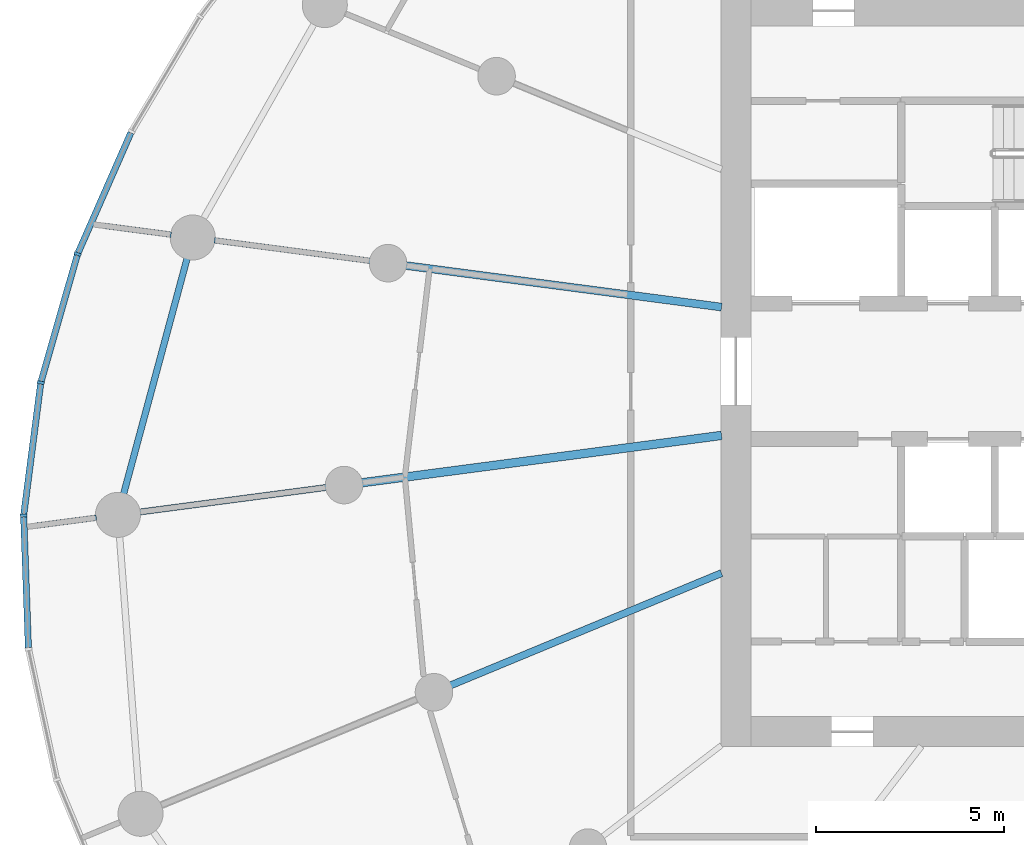
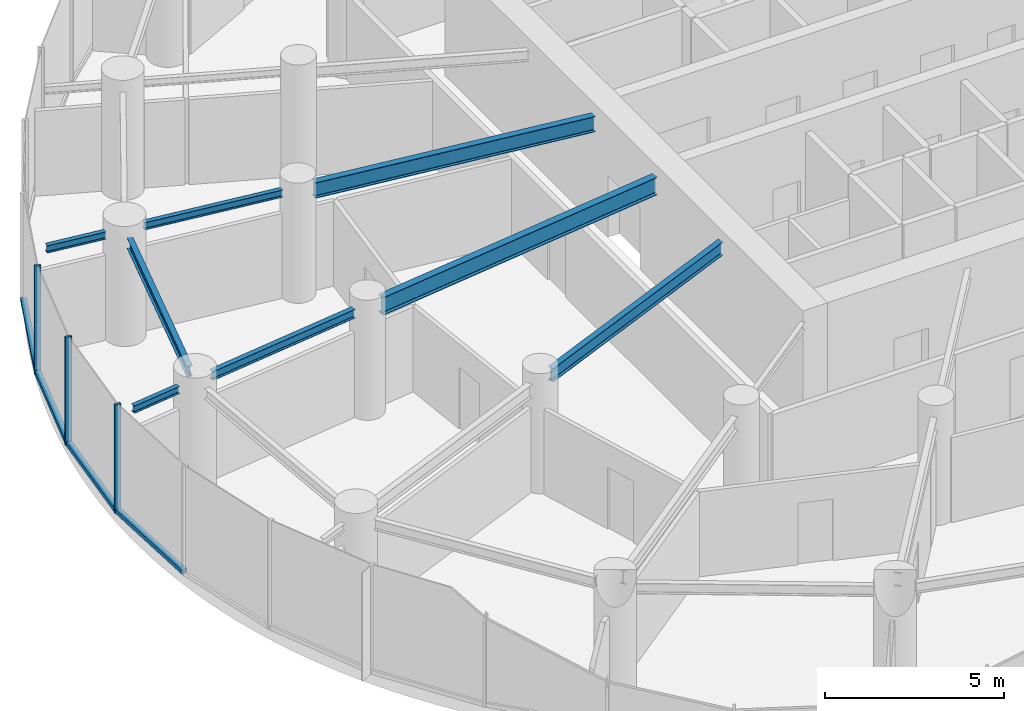
# One storey, part 3 of 17: 8 beams, 7 members, 1 element without a shape of its own.
"""IFC4 building model written with IfcOpenShell, lengths in metres."""

from ifc_helpers import new_model, si_unit, direction, frame, origin, origin_2d, place, context, subcontext, project, spatial, rectangle, i_section, extrude, source, transform, mapped, material, layer, layer_set, material_profile, profile_set, type_object, element, aggregate, save


model = new_model("IFC4")

# Units and contexts
model_context = context("Model", 3, precision=1e-05, world=origin(), true_north=direction((0.0, 1.0)))
body_context = subcontext(model_context, "Body", "Model", "MODEL_VIEW")
ifc_project = project(units=[si_unit("LENGTHUNIT", "METRE"), si_unit("AREAUNIT", "SQUARE_METRE"), si_unit("VOLUMEUNIT", "CUBIC_METRE"), si_unit("PLANEANGLEUNIT", "RADIAN"), si_unit("MASSUNIT", "GRAM", prefix="KILO")], contexts=[model_context])

# Site, building, storey
site_placement = place(None, origin())
site = spatial("IfcSite", under=ifc_project, at=site_placement, CompositionType="ELEMENT")
building_placement = place(site_placement, origin())
building = spatial("IfcBuilding", under=site, at=building_placement, Name="Spindrift Exchange Tower", CompositionType="ELEMENT")
storey_placement = place(building_placement, frame((0.0, 0.0, 88.0)))
storey = spatial("IfcBuildingStorey", under=building, at=storey_placement, Name="L20", CompositionType="ELEMENT", Elevation=88.0)

# Beams
ifc_material_1 = material(Name="Steel Grade 300", Category="steel")
ifc_material_profile_1 = material_profile(ifc_material_1, i_section(OverallWidth=0.22802734375, OverallDepth=0.60693359375, WebThickness=0.01123046875, FlangeThickness=0.017333984375, FilletRadius=0.013916015625, at=origin_2d()), Name="610UB113")
ifc_profile_set_1 = profile_set([ifc_material_profile_1], Name="Steel Grade 300")
beam_type_1 = type_object("IfcBeamType", Name="Floor Beam 610UB113 Steel Grade 300", PredefinedType="BEAM", material=ifc_profile_set_1)
shared_shape_1 = source(origin(), body_context, "Body", "SweptSolid", [
    extrude(i_section(OverallWidth=0.22802734375, OverallDepth=0.60693359375, WebThickness=0.01123046875, FlangeThickness=0.017333984375, FilletRadius=0.013916015625, at=origin_2d()), origin(), (0.0, 0.0, 1.0), 9.660400390625),
])
beam_1_placement = place(storey_placement, frame((39.019775390625, 46.291015625, 3.396484375), z_axis=(-0.99144767089, -0.130504850054, 0.0), x_axis=(0.130504850054, -0.99144767089, 0.0)))
element("IfcBeam", 1, at=beam_1_placement, inside=storey, type_object=beam_type_1, Name="L20 radial beam R13A", PredefinedType="BEAM", context=body_context, shape_type="MappedRepresentation", body=[
    mapped(shared_shape_1, transform((0.0, 0.0, 0.0), scale=1.0)),
])
ifc_material_profile_2 = material_profile(ifc_material_1, i_section(OverallWidth=0.18994140625, OverallDepth=0.45703125, WebThickness=0.009033203125, FlangeThickness=0.014404296875, FilletRadius=0.013916015625, at=origin_2d()), Name="460UB74.6")
ifc_profile_set_2 = profile_set([ifc_material_profile_2], Name="Steel Grade 300")
beam_type_2 = type_object("IfcBeamType", Name="Floor Beam 460UB74.6 Steel Grade 300", PredefinedType="BEAM", material=ifc_profile_set_2)
shared_shape_2 = source(origin(), body_context, "Body", "SweptSolid", [
    extrude(i_section(OverallWidth=0.18994140625, OverallDepth=0.45703125, WebThickness=0.009033203125, FlangeThickness=0.014404296875, FilletRadius=0.013916015625, at=origin_2d()), origin(), (0.0, 0.0, 1.0), 7.808837890625),
])
beam_2_placement = place(storey_placement, frame((39.0185546875, 42.622802734375, 3.471435546875), z_axis=(-0.92387965154, -0.382683145003, 0.0), x_axis=(0.382683145003, -0.92387965154, 0.0)))
element("IfcBeam", 2, at=beam_2_placement, inside=storey, type_object=beam_type_2, Name="L20 radial beam R14A", PredefinedType="BEAM", context=body_context, shape_type="MappedRepresentation", body=[
    mapped(shared_shape_2, transform((0.0, 0.0, 0.0), scale=1.0)),
])
ifc_material_profile_3 = material_profile(ifc_material_1, i_section(OverallWidth=0.208984375, OverallDepth=0.532958984375, WebThickness=0.01025390625, FlangeThickness=0.015625, FilletRadius=0.013916015625, at=origin_2d()), Name="530UB92.4")
ifc_profile_set_3 = profile_set([ifc_material_profile_3], Name="Steel Grade 300")
beam_type_3 = type_object("IfcBeamType", Name="Floor Beam 530UB92.4 Steel Grade 300", PredefinedType="BEAM", material=ifc_profile_set_3)
shared_shape_3 = source(origin(), body_context, "Body", "SweptSolid", [
    extrude(i_section(OverallWidth=0.208984375, OverallDepth=0.532958984375, WebThickness=0.01025390625, FlangeThickness=0.015625, FilletRadius=0.013916015625, at=origin_2d()), origin(), (0.0, 0.0, 1.0), 8.4794921875),
])
beam_3_placement = place(storey_placement, frame((39.019775390625, 49.708984375, 3.43359375), z_axis=(-0.991446551951, 0.13051335037, 0.0), x_axis=(-0.13051335037, -0.991446551951, 0.0)))
element("IfcBeam", 3, at=beam_3_placement, inside=storey, type_object=beam_type_3, Name="L20 radial beam R12A", PredefinedType="BEAM", context=body_context, shape_type="MappedRepresentation", body=[
    mapped(shared_shape_3, transform((0.0, 0.0, 0.0), scale=1.0)),
])
ifc_material_profile_4 = material_profile(ifc_material_1, i_section(OverallWidth=0.1650390625, OverallDepth=0.303955078125, WebThickness=0.006103515625, FlangeThickness=0.01025390625, FilletRadius=0.011474609375, at=origin_2d()), Name="310UB40.4")
ifc_profile_set_4 = profile_set([ifc_material_profile_4], Name="Steel Grade 300")
beam_type_4 = type_object("IfcBeamType", Name="Floor Beam 310UB40.4 Steel Grade 300", PredefinedType="BEAM", material=ifc_profile_set_4)
shared_shape_4 = source(origin(), body_context, "Body", "SweptSolid", [
    extrude(i_section(OverallWidth=0.1650390625, OverallDepth=0.303955078125, WebThickness=0.006103515625, FlangeThickness=0.01025390625, FilletRadius=0.011474609375, at=origin_2d()), origin(), (0.0, 0.0, 1.0), 5.014404296875),
])
beam_4_placement = place(storey_placement, frame((28.490234375, 44.90478515625, 3.548095703125), z_axis=(-0.99145015202, -0.13048599948, 0.0), x_axis=(0.13048599948, -0.99145015202, 0.0)))
element("IfcBeam", 4, at=beam_4_placement, inside=storey, type_object=beam_type_4, Name="L20 radial beam R13B", PredefinedType="BEAM", context=body_context, shape_type="MappedRepresentation", body=[
    mapped(shared_shape_4, transform((0.0, 0.0, 0.0), scale=1.0)),
])
ifc_material_profile_5 = material_profile(ifc_material_1, i_section(OverallWidth=0.14599609375, OverallDepth=0.251953125, WebThickness=0.006103515625, FlangeThickness=0.008544921875, FilletRadius=0.011962890625, at=origin_2d()), Name="250UB31.4")
ifc_profile_set_5 = profile_set([ifc_material_profile_5], Name="Steel Grade 300")
beam_type_5 = type_object("IfcBeamType", Name="Floor Beam 250UB31.4 Steel Grade 300", PredefinedType="BEAM", material=ifc_profile_set_5)
shared_shape_5 = source(origin(), body_context, "Body", "SweptSolid", [
    extrude(i_section(OverallWidth=0.14599609375, OverallDepth=0.251953125, WebThickness=0.006103515625, FlangeThickness=0.008544921875, FilletRadius=0.011962890625, at=origin_2d()), origin(), (0.0, 0.0, 1.0), 4.186279296875),
])
beam_5_placement = place(storey_placement, frame((29.660888671875, 50.94091796875, 3.573974609375), z_axis=(-0.991445559167, 0.130520891848, 0.0), x_axis=(-0.130520891848, -0.991445559167, 0.0)))
element("IfcBeam", 5, at=beam_5_placement, inside=storey, type_object=beam_type_5, Name="L20 radial beam R12B", PredefinedType="BEAM", context=body_context, shape_type="MappedRepresentation", body=[
    mapped(shared_shape_5, transform((0.0, 0.0, 0.0), scale=1.0)),
])
ifc_material_profile_6 = material_profile(ifc_material_1, i_section(OverallWidth=0.172119140625, OverallDepth=0.35888671875, WebThickness=0.008056640625, FlangeThickness=0.012939453125, FilletRadius=0.013916015625, at=origin_2d()), Name="360UB56.7")
ifc_profile_set_6 = profile_set([ifc_material_profile_6], Name="Steel Grade 300")
beam_type_6 = type_object("IfcBeamType", Name="Edge Beam 360UB56.7 Steel Grade 300", PredefinedType="SPANDREL", material=ifc_profile_set_6)
shared_shape_6 = source(origin(), body_context, "Body", "SweptSolid", [
    extrude(i_section(OverallWidth=0.172119140625, OverallDepth=0.35888671875, WebThickness=0.008056640625, FlangeThickness=0.012939453125, FilletRadius=0.013916015625, at=origin_2d()), origin(), (0.0, 0.0, 1.0), 6.4921875),
])
beam_6_placement = place(storey_placement, frame((24.784423828125, 51.003173828125, 3.5205078125), z_axis=(-0.260262058381, -0.965538016324, 0.0), x_axis=(0.965538016324, -0.260262058381, 0.0)))
element("IfcBeam", 6, at=beam_6_placement, inside=storey, type_object=beam_type_6, Name="L20 edge beam E12", PredefinedType="SPANDREL", context=body_context, shape_type="MappedRepresentation", body=[
    mapped(shared_shape_6, transform((0.0, 0.0, 0.0), scale=1.0)),
])
ifc_material_profile_7 = material_profile(ifc_material_1, i_section(OverallWidth=0.14599609375, OverallDepth=0.251953125, WebThickness=0.006103515625, FlangeThickness=0.008544921875, FilletRadius=0.011962890625, at=origin_2d()), Name="250UB31.4")
ifc_profile_set_7 = profile_set([ifc_material_profile_7], Name="Steel Grade 300")
beam_type_7 = type_object("IfcBeamType", Name="Cantilever Beam 250UB31.4 Steel Grade 300", PredefinedType="BEAM", material=ifc_profile_set_7)
shared_shape_7 = source(origin(), body_context, "Body", "SweptSolid", [
    extrude(i_section(OverallWidth=0.14599609375, OverallDepth=0.251953125, WebThickness=0.006103515625, FlangeThickness=0.008544921875, FilletRadius=0.011962890625, at=origin_2d()), origin(), (0.0, 0.0, 1.0), 1.6015625),
])
beam_7_placement = place(storey_placement, frame((22.36865234375, 44.09912109375, 3.573974609375), z_axis=(-0.991430412505, -0.130635895375, 0.0), x_axis=(0.130635895375, -0.991430412505, 0.0)))
element("IfcBeam", 7, at=beam_7_placement, inside=storey, type_object=beam_type_7, Name="L20 cantilever beam R13T", PredefinedType="BEAM", context=body_context, shape_type="MappedRepresentation", body=[
    mapped(shared_shape_7, transform((0.0, 0.0, 0.0), scale=1.0)),
])
shared_shape_8 = source(origin(), body_context, "Body", "SweptSolid", [
    extrude(i_section(OverallWidth=0.14599609375, OverallDepth=0.251953125, WebThickness=0.006103515625, FlangeThickness=0.008544921875, FilletRadius=0.011962890625, at=origin_2d()), origin(), (0.0, 0.0, 1.0), 1.78564453125),
])
beam_8_placement = place(storey_placement, frame((24.360595703125, 51.638916015625, 3.573974609375), z_axis=(-0.99145801781, 0.130426220214, 0.0), x_axis=(-0.130426220214, -0.99145801781, 0.0)))
element("IfcBeam", 8, at=beam_8_placement, inside=storey, type_object=beam_type_7, Name="L20 cantilever beam R12T", PredefinedType="BEAM", context=body_context, shape_type="MappedRepresentation", body=[
    mapped(shared_shape_8, transform((0.0, 0.0, 0.0), scale=1.0)),
])

# Curtain wall, members
ifc_material_2 = material(Name="Fritted laminated glass with bronze frame", Category="glass")
ifc_layer = layer(ifc_material_2, 0.18994140625)
ifc_layer_set = layer_set([ifc_layer], Name="ZONE 2 BRONZE FRITTED WALL")
curtain_wall_type = type_object("IfcCurtainWallType", Name="ZONE 2 BRONZE FRITTED WALL", PredefinedType="NOTDEFINED", material=ifc_layer_set)
curtain_wall_placement = place(storey_placement, origin())
curtain_wall = element("IfcCurtainWall", 9, at=curtain_wall_placement, inside=storey, type_object=curtain_wall_type, Name="L20 Zone 2 Bronze Fritted Wall run 4", PredefinedType="NOTDEFINED")
ifc_material_3 = material(Name="Bronze anodised aluminium", Category="aluminium")
ifc_material_profile_8 = material_profile(ifc_material_3, rectangle(XDim=0.074951171875, YDim=0.18994140625, at=origin_2d()), Name="ZONE 2 BRONZE FRITTED WALL MULLION 75X190")
ifc_profile_set_8 = profile_set([ifc_material_profile_8], Name="Bronze anodised aluminium")
member_type_1 = type_object("IfcMemberType", Name="ZONE 2 BRONZE FRITTED WALL MULLION 75X190", PredefinedType="MULLION", material=ifc_profile_set_8)
shared_shape_9 = source(origin(), body_context, "Body", "SweptSolid", [
    extrude(rectangle(XDim=0.074951171875, YDim=0.18994140625, at=origin_2d()), origin(), (0.0, 0.0, 1.0), 3.699951171875),
])
member_1_placement = place(storey_placement, frame((21.867919921875, 51.1240234375, 0.0), z_axis=(0.0, 0.0, 1.0), x_axis=(-0.339428114068, -0.940631997851, 0.0)))
member_1 = element("IfcMember", 10, at=member_1_placement, type_object=member_type_1, Name="L20 mullion CW-2.22", PredefinedType="MULLION", context=body_context, shape_type="MappedRepresentation", body=[
    mapped(shared_shape_9, transform((0.0, 0.0, 0.0), scale=1.0)),
])
member_2_placement = place(storey_placement, frame((20.887939453125, 47.696533203125, 0.0), z_axis=(0.0, 0.0, 1.0), x_axis=(-0.20212388301, -0.979359962382, 0.0)))
member_2 = element("IfcMember", 11, at=member_2_placement, type_object=member_type_1, Name="L20 mullion CW-2.23", PredefinedType="MULLION", context=body_context, shape_type="MappedRepresentation", body=[
    mapped(shared_shape_9, transform((0.0, 0.0, 0.0), scale=1.0)),
])
member_3_placement = place(storey_placement, frame((20.430908203125, 44.162109375, 0.0), z_axis=(0.0, 0.0, 1.0), x_axis=(-0.046393825169, -0.998923226773, 0.0)))
member_3 = element("IfcMember", 12, at=member_3_placement, type_object=member_type_1, Name="L20 mullion CW-2.24", PredefinedType="MULLION", context=body_context, shape_type="MappedRepresentation", body=[
    mapped(shared_shape_9, transform((0.0, 0.0, 0.0), scale=1.0)),
])
ifc_material_profile_9 = material_profile(ifc_material_3, rectangle(XDim=0.169921875, YDim=0.139892578125, at=origin_2d()), Name="ZONE 2 BRONZE FRITTED WALL TRANSOM 170X140")
ifc_profile_set_9 = profile_set([ifc_material_profile_9], Name="Bronze anodised aluminium")
member_type_2 = type_object("IfcMemberType", Name="ZONE 2 BRONZE FRITTED WALL TRANSOM 170X140", PredefinedType="USERDEFINED", material=ifc_profile_set_9)
shared_shape_10 = source(origin(), body_context, "Body", "SweptSolid", [
    extrude(rectangle(XDim=0.169921875, YDim=0.139892578125, at=origin_2d()), origin(), (0.0, 0.0, 1.0), 3.489013671875),
])
member_4_placement = place(storey_placement, frame((20.883056640625, 47.659423828125, 0.070068359375), z_axis=(-0.128193362143, -0.991749193043, 0.0), x_axis=(0.991749193043, -0.128193362143, 0.0)))
member_4 = element("IfcMember", 13, at=member_4_placement, type_object=member_type_2, Name="L20 transom CW-2.23", ObjectType="TRANSOM", PredefinedType="USERDEFINED", context=body_context, shape_type="MappedRepresentation", body=[
    mapped(shared_shape_10, transform((0.0, 0.0, 0.0), scale=1.0)),
])
shared_shape_11 = source(origin(), body_context, "Body", "SweptSolid", [
    extrude(rectangle(XDim=0.169921875, YDim=0.139892578125, at=origin_2d()), origin(), (0.0, 0.0, 1.0), 3.488525390625),
])
member_5_placement = place(storey_placement, frame((20.432373046875, 44.12451171875, 0.070068359375), z_axis=(0.035691530512, -0.999362854348, 0.0), x_axis=(0.999362854348, 0.035691530512, 0.0)))
member_5 = element("IfcMember", 14, at=member_5_placement, type_object=member_type_2, Name="L20 transom CW-2.24", ObjectType="TRANSOM", PredefinedType="USERDEFINED", context=body_context, shape_type="MappedRepresentation", body=[
    mapped(shared_shape_11, transform((0.0, 0.0, 0.0), scale=1.0)),
])
shared_shape_12 = source(origin(), body_context, "Body", "SweptSolid", [
    extrude(rectangle(XDim=0.169921875, YDim=0.139892578125, at=origin_2d()), origin(), (0.0, 0.0, 1.0), 3.48974609375),
])
member_6_placement = place(storey_placement, frame((21.857666015625, 51.087890625, 0.070068359375), z_axis=(-0.274942880656, -0.96146056205, 0.0), x_axis=(0.96146056205, -0.274942880656, 0.0)))
member_6 = element("IfcMember", 15, at=member_6_placement, type_object=member_type_2, Name="L20 transom CW-2.22", ObjectType="TRANSOM", PredefinedType="USERDEFINED", context=body_context, shape_type="MappedRepresentation", body=[
    mapped(shared_shape_12, transform((0.0, 0.0, 0.0), scale=1.0)),
])
shared_shape_13 = source(origin(), body_context, "Body", "SweptSolid", [
    extrude(rectangle(XDim=0.169921875, YDim=0.139892578125, at=origin_2d()), origin(), (0.0, 0.0, 1.0), 3.489990234375),
])
member_7_placement = place(storey_placement, frame((23.287353515625, 54.353515625, 0.070068359375), z_axis=(-0.402370530606, -0.91547690091, 0.0), x_axis=(0.91547690091, -0.402370530606, 0.0)))
member_7 = element("IfcMember", 16, at=member_7_placement, type_object=member_type_2, Name="L20 transom CW-2.21", ObjectType="TRANSOM", PredefinedType="USERDEFINED", context=body_context, shape_type="MappedRepresentation", body=[
    mapped(shared_shape_13, transform((0.0, 0.0, 0.0), scale=1.0)),
])
aggregate(curtain_wall, [member_7, member_1, member_6, member_2, member_4, member_3, member_5])

save(model, "model.ifc")
